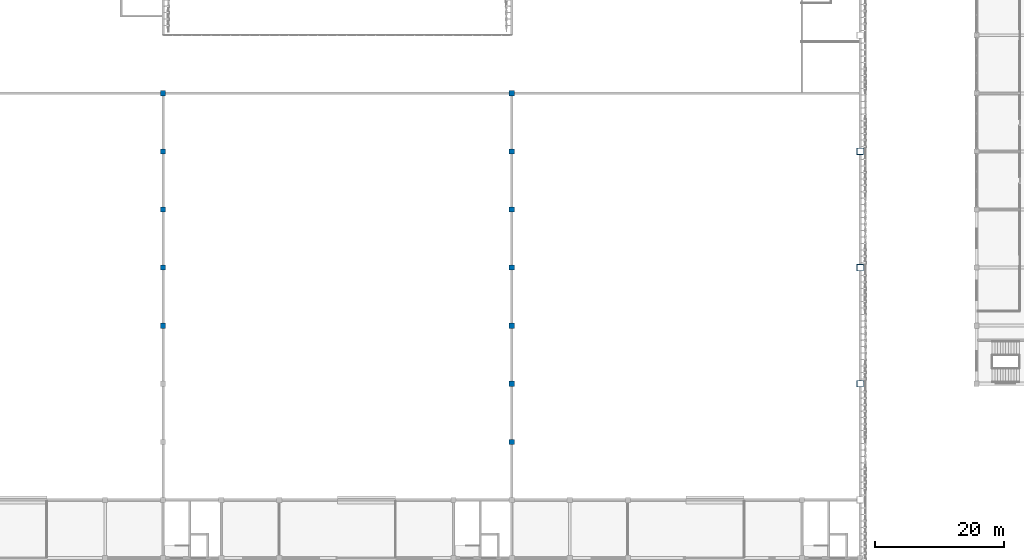
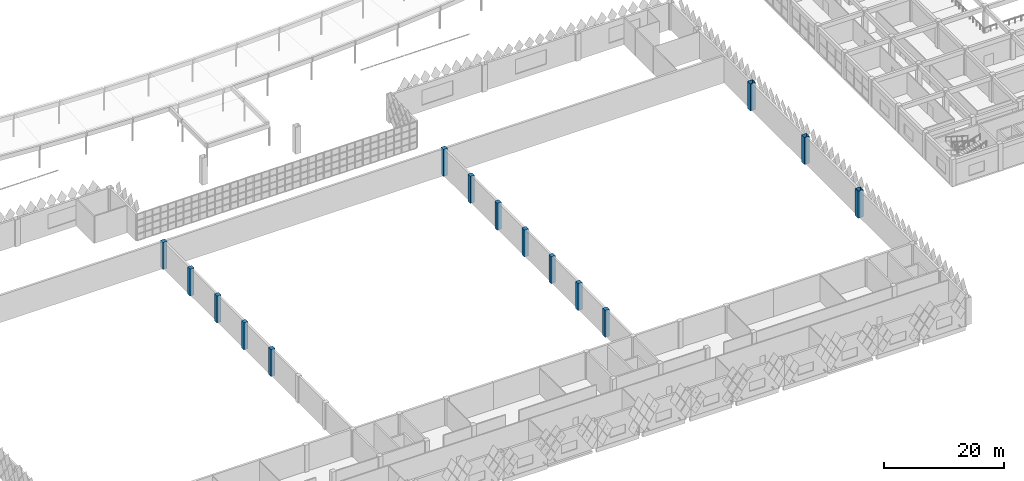
# One storey, part 5 of 185: 15 columns.
"""IFC4 building model written with IfcOpenShell, lengths in metres."""

from ifc_helpers import new_model, si_unit, direction, frame, origin, origin_2d, place, context, subcontext, project, spatial, rectangle, hollow_rectangle, extrude, material, material_profile, profile_set, type_object, element, save


model = new_model("IFC4")

# Units and contexts
model_context = context("Model", 3, precision=1e-05, world=origin(), true_north=direction((0.0, 1.0)))
body_context = subcontext(model_context, "Body", "Model", "MODEL_VIEW")
ifc_project = project(units=[si_unit("LENGTHUNIT", "METRE"), si_unit("AREAUNIT", "SQUARE_METRE"), si_unit("VOLUMEUNIT", "CUBIC_METRE"), si_unit("PLANEANGLEUNIT", "RADIAN"), si_unit("MASSUNIT", "GRAM", prefix="KILO")], contexts=[model_context])

# Site, building, storey
site_placement = place(None, origin())
site = spatial("IfcSite", under=ifc_project, at=site_placement, CompositionType="ELEMENT")
building_placement = place(site_placement, origin())
building = spatial("IfcBuilding", under=site, at=building_placement, Name="Opaline Strait Convention Centre", CompositionType="ELEMENT")
storey_placement = place(building_placement, frame((0.0, 0.0, 6.0)))
storey = spatial("IfcBuildingStorey", under=building, at=storey_placement, Name="L01", CompositionType="ELEMENT", Elevation=6.0)

# Columns
ifc_material_1 = material(Name="Steel Q355B", Category="steel")
ifc_material_profile_1 = material_profile(ifc_material_1, hollow_rectangle(XDim=1.0, YDim=1.0, WallThickness=0.031982421875, at=origin_2d()), Name="BOX 1000x1000x32")
ifc_profile_set_1 = profile_set([ifc_material_profile_1], Name="Steel Q355B")
column_type_1 = type_object("IfcColumnType", Name="CFT column BOX 1000x1000x32 C60 fill", PredefinedType="COLUMN", material=ifc_profile_set_1)
for number, where, z_axis, x_axis, name in (
    (1, (261.0, 90.0, 0.0), (0.0, 0.0, 1.0), (1.0, 0.0, 0.0), "Roof column XC-26"),
    (2, (261.0, 108.0, 0.0), (0.0, 0.0, 1.0), (1.0, 0.0, 0.0), "Roof column XC-27"),
    (3, (261.0, 126.0, 0.0), (0.0, 0.0, 1.0), (1.0, 0.0, 0.0), "Roof column XC-28"),
):
    element("IfcColumn", number, at=place(storey_placement, frame(where, z_axis=z_axis, x_axis=x_axis)), inside=storey, type_object=column_type_1, Name=name, ObjectType="XC1", PredefinedType="COLUMN", context=body_context, shape_type="SweptSolid", body=[
        extrude(hollow_rectangle(XDim=1.0, YDim=1.0, WallThickness=0.031982421875, at=origin_2d()), origin(), (0.0, 0.0, 1.0), 5.5),
    ])
ifc_material_2 = material(Name="Concrete C40", Category="concrete")
ifc_material_profile_2 = material_profile(ifc_material_2, rectangle(XDim=0.800048828125, YDim=0.800048828125, at=origin_2d()), Name="RC 800x800")
ifc_profile_set_2 = profile_set([ifc_material_profile_2], Name="Concrete C40")
column_type_2 = type_object("IfcColumnType", Name="RC column 800x800 C40", PredefinedType="COLUMN", material=ifc_profile_set_2)
for number, where, z_axis, x_axis, name in (
    (4, (153.0, 99.0, 0.0), (0.0, 0.0, 1.0), (1.0, 0.0, 0.0), "Fire wall pilaster"),
    (5, (153.0, 108.0, 0.0), (0.0, 0.0, 1.0), (1.0, 0.0, 0.0), "Fire wall pilaster"),
    (6, (153.0, 117.0, 0.0), (0.0, 0.0, 1.0), (1.0, 0.0, 0.0), "Fire wall pilaster"),
    (7, (153.0, 126.0, 0.0), (0.0, 0.0, 1.0), (1.0, 0.0, 0.0), "Fire wall pilaster"),
    (8, (153.0, 135.0, 0.0), (0.0, 0.0, 1.0), (1.0, 0.0, 0.0), "Fire wall pilaster"),
    (9, (207.0, 81.0, 0.0), (0.0, 0.0, 1.0), (1.0, 0.0, 0.0), "Fire wall pilaster"),
    (10, (207.0, 90.0, 0.0), (0.0, 0.0, 1.0), (1.0, 0.0, 0.0), "Fire wall pilaster"),
    (11, (207.0, 99.0, 0.0), (0.0, 0.0, 1.0), (1.0, 0.0, 0.0), "Fire wall pilaster"),
    (12, (207.0, 108.0, 0.0), (0.0, 0.0, 1.0), (1.0, 0.0, 0.0), "Fire wall pilaster"),
    (13, (207.0, 117.0, 0.0), (0.0, 0.0, 1.0), (1.0, 0.0, 0.0), "Fire wall pilaster"),
    (14, (207.0, 126.0, 0.0), (0.0, 0.0, 1.0), (1.0, 0.0, 0.0), "Fire wall pilaster"),
    (15, (207.0, 135.0, 0.0), (0.0, 0.0, 1.0), (1.0, 0.0, 0.0), "Fire wall pilaster"),
):
    element("IfcColumn", number, at=place(storey_placement, frame(where, z_axis=z_axis, x_axis=x_axis)), inside=storey, type_object=column_type_2, Name=name, ObjectType="XC2", PredefinedType="COLUMN", context=body_context, shape_type="SweptSolid", body=[
        extrude(rectangle(XDim=0.800048828125, YDim=0.800048828125, at=origin_2d()), origin(), (0.0, 0.0, 1.0), 5.5),
    ])

save(model, "model.ifc")
